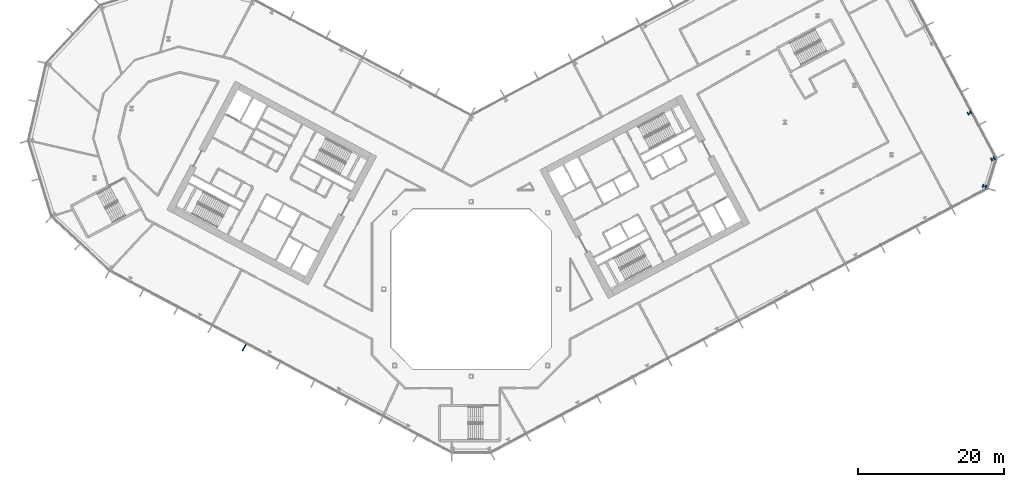
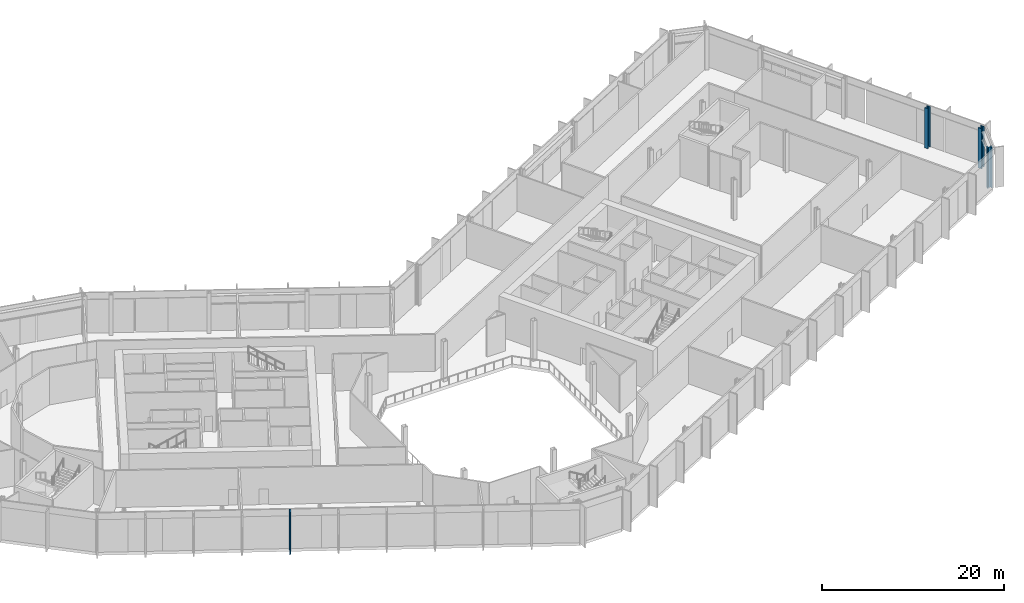
# One storey, part 5 of 30: 3 columns, 1 member, 1 element without a shape of its own.
"""IFC4 building model written with IfcOpenShell, lengths in metres."""

from ifc_helpers import new_model, si_unit, direction, frame, origin, origin_2d, place, context, subcontext, project, spatial, rectangle, i_section, extrude, material, layer, layer_set, material_profile, profile_set, type_object, element, aggregate, save


model = new_model("IFC4")

# Units and contexts
model_context = context("Model", 3, precision=1e-05, world=origin(), true_north=direction((0.0, 1.0)))
body_context = subcontext(model_context, "Body", "Model", "MODEL_VIEW")
ifc_project = project(units=[si_unit("LENGTHUNIT", "METRE"), si_unit("AREAUNIT", "SQUARE_METRE"), si_unit("VOLUMEUNIT", "CUBIC_METRE"), si_unit("PLANEANGLEUNIT", "RADIAN"), si_unit("MASSUNIT", "GRAM", prefix="KILO")], contexts=[model_context])

# Site, building, storey
site_placement = place(None, origin())
site = spatial("IfcSite", under=ifc_project, at=site_placement, CompositionType="ELEMENT")
building_placement = place(site_placement, origin())
building = spatial("IfcBuilding", under=site, at=building_placement, Name="Cormorant Relay Tower", CompositionType="ELEMENT")
storey_placement = place(building_placement, frame((0.0, 0.0, 44.60009765625)))
storey = spatial("IfcBuildingStorey", under=building, at=storey_placement, Name="L08", CompositionType="ELEMENT", Elevation=44.60009765625)

# Columns
ifc_material_1 = material(Name="Steel ASTM A992 (Fy 345 MPa)", Category="steel")
ifc_material_profile_1 = material_profile(ifc_material_1, i_section(OverallWidth=0.45458984375, OverallDepth=0.569091796875, WebThickness=0.077880859375, FlangeThickness=0.124755859375, FilletRadius=0.015380859375, at=origin_2d()), Name="W360x1086")
ifc_profile_set_1 = profile_set([ifc_material_profile_1], Name="Steel ASTM A992 (Fy 345 MPa)")
column_type_1 = type_object("IfcColumnType", Name="Column W360x1086", PredefinedType="COLUMN", material=ifc_profile_set_1)
for number, where, z_axis, x_axis, name in (
    (1, (70.47412109375, 14.10595703125, 0.0), (0.0, 0.0, 1.0), (0.292371704723, 0.956304755963, 0.0), "Column L08-026"),
    (2, (71.625, 17.87109375, 0.0), (0.0, 0.0, 1.0), (-0.469471562786, 0.882947592859, 0.0), "Column L08-028"),
):
    element("IfcColumn", number, at=place(storey_placement, frame(where, z_axis=z_axis, x_axis=x_axis)), inside=storey, type_object=column_type_1, Name=name, PredefinedType="COLUMN", context=body_context, shape_type="SweptSolid", body=[
        extrude(i_section(OverallWidth=0.45458984375, OverallDepth=0.569091796875, WebThickness=0.077880859375, FlangeThickness=0.124755859375, FilletRadius=0.015380859375, at=origin_2d()), origin(), (0.0, 0.0, 1.0), 5.39990234375),
    ])
ifc_material_2 = material(Name="Steel ASTM A992 (Fy 345 MPa)", Category="steel")
ifc_material_profile_2 = material_profile(ifc_material_2, i_section(OverallWidth=0.43701171875, OverallDepth=0.51318359375, WebThickness=0.060546875, FlangeThickness=0.096923828125, FilletRadius=0.015380859375, at=origin_2d()), Name="W360x818")
ifc_profile_set_2 = profile_set([ifc_material_profile_2], Name="Steel ASTM A992 (Fy 345 MPa)")
column_type_2 = type_object("IfcColumnType", Name="Column W360x818", PredefinedType="COLUMN", material=ifc_profile_set_2)
column_placement = place(storey_placement, frame((68.4130859375, 24.14404296875, 0.0), z_axis=(0.0, 0.0, 1.0), x_axis=(-0.469471562786, 0.882947592859, 0.0)))
element("IfcColumn", 3, at=column_placement, inside=storey, type_object=column_type_2, Name="Column L08-033", PredefinedType="COLUMN", context=body_context, shape_type="SweptSolid", body=[
    extrude(i_section(OverallWidth=0.43701171875, OverallDepth=0.51318359375, WebThickness=0.060546875, FlangeThickness=0.096923828125, FilletRadius=0.015380859375, at=origin_2d()), origin(), (0.0, 0.0, 1.0), 5.39990234375),
])

# Curtain wall, member
ifc_material_3 = material(Name="Aluminium 6063-T6 anodised bronze", Category="aluminium")
ifc_layer = layer(ifc_material_3, 0.235107421875)
ifc_layer_set = layer_set([ifc_layer], Name="CW6 data hall curtain wall with mineral wool panels")
curtain_wall_type = type_object("IfcCurtainWallType", Name="CW6 data hall curtain wall with mineral wool panels", PredefinedType="NOTDEFINED", material=ifc_layer_set)
curtain_wall_placement = place(storey_placement, origin())
curtain_wall = element("IfcCurtainWall", 4, at=curtain_wall_placement, inside=storey, type_object=curtain_wall_type, Name="CW6 curtain wall 14", PredefinedType="NOTDEFINED")
ifc_material_4 = material(Name="Aluminium 6063-T6 anodised bronze", Category="aluminium")
ifc_material_profile_3 = material_profile(ifc_material_4, rectangle(XDim=0.14990234375, YDim=1.0, at=origin_2d()), Name="AL 150x1000")
ifc_profile_set_3 = profile_set([ifc_material_profile_3], Name="Aluminium 6063-T6 anodised bronze")
member_type = type_object("IfcMemberType", Name="CW6 bronze fin mullion 150 x 1000", PredefinedType="MULLION", material=ifc_profile_set_3)
member_placement = place(storey_placement, frame((-31.159423828125, -8.048583984375, 0.0), z_axis=(0.0, 0.0, 1.0), x_axis=(0.882947592859, -0.469471562786, 0.0)))
member = element("IfcMember", 5, at=member_placement, type_object=member_type, Name="CW6 fin 14.5", PredefinedType="MULLION", context=body_context, shape_type="SweptSolid", body=[
    extrude(rectangle(XDim=0.14990234375, YDim=1.0, at=origin_2d()), origin(), (0.0, 0.0, 1.0), 5.39990234375),
])
aggregate(curtain_wall, [member])

save(model, "model.ifc")
